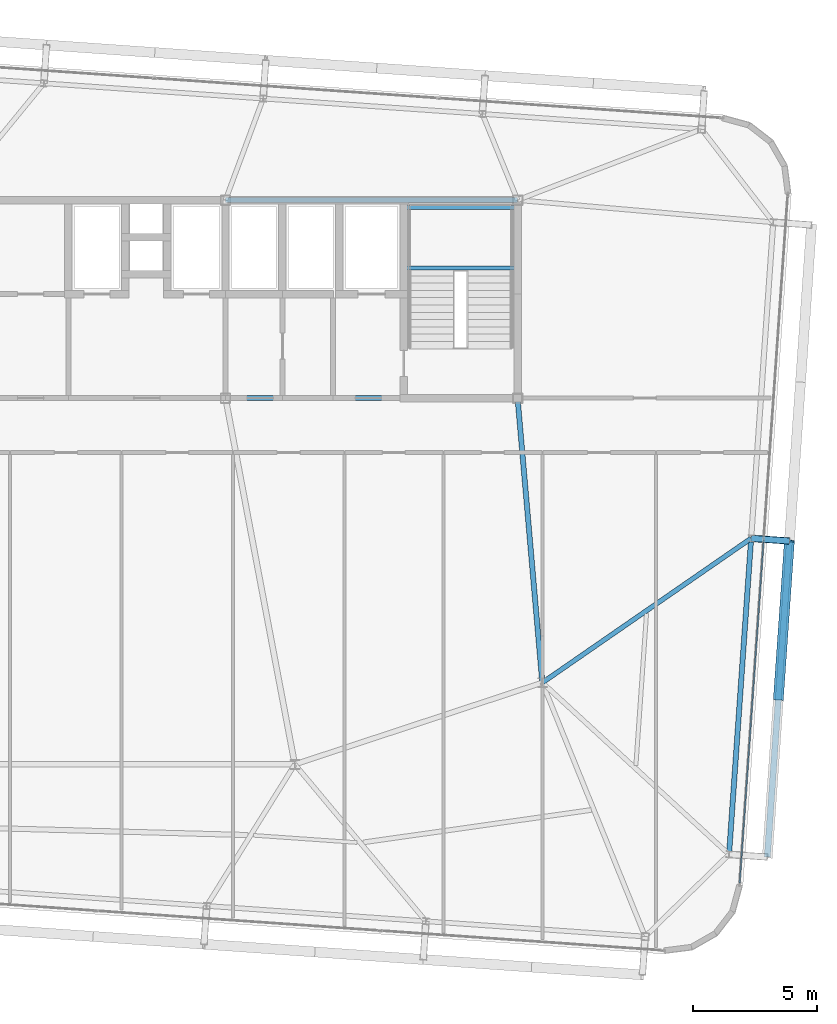
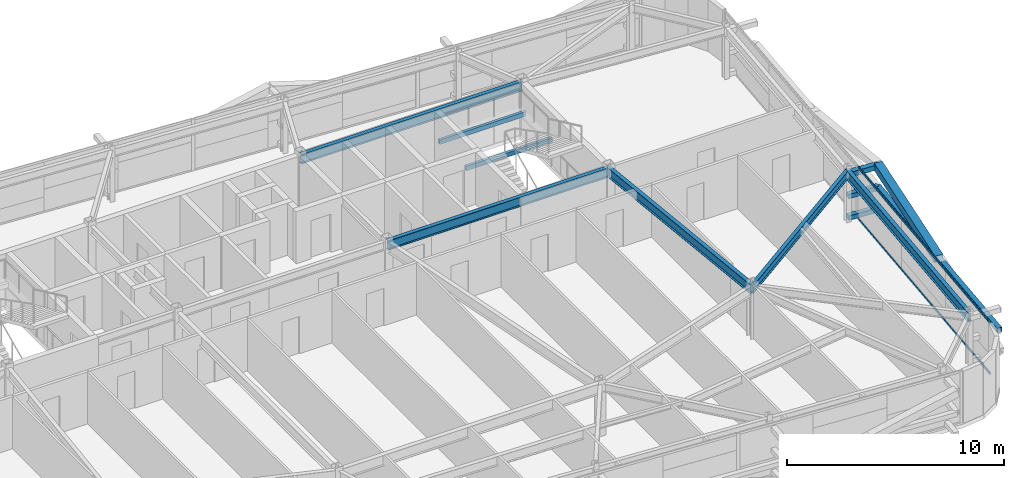
# One storey, part 16 of 39: 7 beams, 7 members, 1 element without a shape of its own.
"""IFC4 building model written with IfcOpenShell, lengths in metres."""

from ifc_helpers import new_model, si_unit, direction, frame, origin, origin_2d, place, context, subcontext, project, spatial, hollow_rectangle, i_section, extrude, source, transform, mapped, material, layer, layer_set, material_profile, profile_set, type_object, element, aggregate, save


model = new_model("IFC4")

# Units and contexts
model_context = context("Model", 3, precision=1e-05, world=origin(), true_north=direction((0.0, 1.0)))
body_context = subcontext(model_context, "Body", "Model", "MODEL_VIEW")
ifc_project = project(units=[si_unit("LENGTHUNIT", "METRE"), si_unit("AREAUNIT", "SQUARE_METRE"), si_unit("VOLUMEUNIT", "CUBIC_METRE"), si_unit("PLANEANGLEUNIT", "RADIAN"), si_unit("MASSUNIT", "GRAM", prefix="KILO")], contexts=[model_context])

# Site, building, storey
site_placement = place(None, origin())
site = spatial("IfcSite", under=ifc_project, at=site_placement, CompositionType="ELEMENT")
building_placement = place(site_placement, origin())
building = spatial("IfcBuilding", under=site, at=building_placement, Name="Taldren Reach Tower", CompositionType="ELEMENT")
storey_placement = place(building_placement, frame((0.0, 0.0, 158.199951171875)))
storey = spatial("IfcBuildingStorey", under=building, at=storey_placement, Name="L48", CompositionType="ELEMENT", Elevation=158.199951171875)

# Beams
ifc_material_1 = material(Name="Steel Gr 350 (350PLUS)", Category="steel")
ifc_material_profile_1 = material_profile(ifc_material_1, i_section(OverallWidth=0.208984375, OverallDepth=0.532958984375, WebThickness=0.01025390625, FlangeThickness=0.015625, at=origin_2d()), Name="530UB92.4")
ifc_profile_set_1 = profile_set([ifc_material_profile_1], Name="Steel Gr 350 (350PLUS)")
beam_type_1 = type_object("IfcBeamType", Name="BM-UB530A", PredefinedType="BEAM", material=ifc_profile_set_1)
shared_shape_1 = source(origin(), body_context, "Body", "SweptSolid", [
    extrude(i_section(OverallWidth=0.208984375, OverallDepth=0.532958984375, WebThickness=0.01025390625, FlangeThickness=0.015625, at=origin_2d()), origin(), (0.0, 0.0, 1.0), 11.800048828125),
])
for number, where, z_axis, x_axis, name in (
    (1, (39.199951171875, 24.0, 2.66357421875), (1.0, 0.0, 0.0), (0.0, 1.0, 0.0), "Core-spine girder L48-SP03"),
    (2, (39.199951171875, 32.0, 2.66357421875), (1.0, 0.0, 0.0), (0.0, 1.0, 0.0), "Core-spine girder L48-SP06"),
):
    element("IfcBeam", number, at=place(storey_placement, frame(where, z_axis=z_axis, x_axis=x_axis)), inside=storey, type_object=beam_type_1, Name=name, PredefinedType="BEAM", context=body_context, shape_type="MappedRepresentation", body=[
        mapped(shared_shape_1, transform((0.0, 0.0, 0.0), scale=1.0)),
    ])
shared_shape_2 = source(origin(), body_context, "Body", "SweptSolid", [
    extrude(i_section(OverallWidth=0.208984375, OverallDepth=0.532958984375, WebThickness=0.01025390625, FlangeThickness=0.015625, at=origin_2d()), origin(), (0.0, 0.0, 1.0), 11.54345703125),
])
beam_1_placement = place(storey_placement, frame((52.0, 12.5, 2.66357421875), z_axis=(-0.086629616365, 0.996240588196, 0.0), x_axis=(-0.996240588196, -0.086629616365, 0.0)))
element("IfcBeam", 3, at=beam_1_placement, inside=storey, type_object=beam_type_1, Name="Core-spine girder L48-SP13", PredefinedType="BEAM", context=body_context, shape_type="MappedRepresentation", body=[
    mapped(shared_shape_2, transform((0.0, 0.0, 0.0), scale=1.0)),
])

# Members
ifc_material_2 = material(Name="Steel Gr 450 (C450L0)", Category="steel")
ifc_material_profile_2 = material_profile(ifc_material_2, hollow_rectangle(XDim=0.27490234375, YDim=0.27490234375, WallThickness=0.00927734375, at=origin_2d()), Name="275x275x9.3SHS")
ifc_profile_set_2 = profile_set([ifc_material_profile_2], Name="Steel Gr 450 (C450L0)")
member_type_1 = type_object("IfcMemberType", Name="MB-TIE273", PredefinedType="STRUT", material=ifc_profile_set_2)
shared_shape_3 = source(origin(), body_context, "Body", "SweptSolid", [
    extrude(hollow_rectangle(XDim=0.27490234375, YDim=0.27490234375, WallThickness=0.00927734375, at=origin_2d()), origin(), (0.0, 0.0, 1.0), 1.5498046875),
])
member_1_placement = place(storey_placement, frame((60.438232421875, 18.331787109375, 2.650146484375), z_axis=(0.997562367434, -0.069780535098, 0.0), x_axis=(0.069780535098, 0.997562367434, 0.0)))
element("IfcMember", 4, at=member_1_placement, inside=storey, type_object=member_type_1, Name="Exoskeleton diaphragm tie strut B3-E2 L48", PredefinedType="STRUT", context=body_context, shape_type="MappedRepresentation", body=[
    mapped(shared_shape_3, transform((0.0, 0.0, 0.0), scale=1.0)),
])
ifc_material_3 = material(Name="Steel Gr 350 (C350L0)", Category="steel")
ifc_material_profile_3 = material_profile(ifc_material_3, hollow_rectangle(XDim=0.25, YDim=0.25, WallThickness=0.010009765625, at=origin_2d()), Name="250x250x10.0SHS")
ifc_profile_set_3 = profile_set([ifc_material_profile_3], Name="Steel Gr 350 (C350L0)")
member_type_2 = type_object("IfcMemberType", Name="MB-POST250", PredefinedType="POST", material=ifc_profile_set_3)
shared_shape_4 = source(origin(), body_context, "Body", "SweptSolid", [
    extrude(hollow_rectangle(XDim=0.25, YDim=0.25, WallThickness=0.010009765625, at=origin_2d()), origin(), (0.0, 0.0, 1.0), 1.5498046875),
])
for number, where, z_axis, x_axis, name in (
    (5, (60.438232421875, 18.331787109375, 0.219970703125), (0.997562367434, -0.069780535098, 0.0), (0.069780535098, 0.997562367434, 0.0), "Exoskeleton base diaphragm tie strut B3-E2 L48"),
    (6, (60.438232421875, 18.331787109375, 1.43505859375), (0.997562367434, -0.069780535098, 0.0), (0.069780535098, 0.997562367434, 0.0), "Exoskeleton mid-tier diaphragm tie B3-E2 L48"),
):
    element("IfcMember", number, at=place(storey_placement, frame(where, z_axis=z_axis, x_axis=x_axis)), inside=storey, type_object=member_type_2, Name=name, PredefinedType="POST", context=body_context, shape_type="MappedRepresentation", body=[
        mapped(shared_shape_4, transform((0.0, 0.0, 0.0), scale=1.0)),
    ])

# Beams
ifc_material_profile_4 = material_profile(ifc_material_1, i_section(OverallWidth=0.208984375, OverallDepth=0.528076171875, WebThickness=0.009521484375, FlangeThickness=0.01318359375, at=origin_2d()), Name="530UB82.0")
ifc_profile_set_4 = profile_set([ifc_material_profile_4], Name="Steel Gr 350 (350PLUS)")
beam_type_2 = type_object("IfcBeamType", Name="SP-UB530B", PredefinedType="SPANDREL", material=ifc_profile_set_4)
shared_shape_5 = source(origin(), body_context, "Body", "SweptSolid", [
    extrude(i_section(OverallWidth=0.208984375, OverallDepth=0.528076171875, WebThickness=0.009521484375, FlangeThickness=0.01318359375, at=origin_2d()), origin(), (0.0, 0.0, 1.0), 12.80029296875),
])
beam_2_placement = place(storey_placement, frame((59.54541015625, 5.562744140625, 2.666015625), z_axis=(0.069750549628, 0.997564464497, 0.0), x_axis=(-0.997564464497, 0.069750549628, 0.0)))
element("IfcBeam", 7, at=beam_2_placement, inside=storey, type_object=beam_type_2, Name="Perimeter spandrel B3 E1-E2 L48", PredefinedType="SPANDREL", context=body_context, shape_type="MappedRepresentation", body=[
    mapped(shared_shape_5, transform((0.0, 0.0, 0.0), scale=1.0)),
])
ifc_material_profile_5 = material_profile(ifc_material_1, i_section(OverallWidth=0.19091796875, OverallDepth=0.4599609375, WebThickness=0.010009765625, FlangeThickness=0.01611328125, at=origin_2d()), Name="460UB82.1")
ifc_profile_set_5 = profile_set([ifc_material_profile_5], Name="Steel Gr 350 (350PLUS)")
beam_type_3 = type_object("IfcBeamType", Name="BM-UB460A", PredefinedType="BEAM", material=ifc_profile_set_5)
shared_shape_6 = source(origin(), body_context, "Body", "SweptSolid", [
    extrude(i_section(OverallWidth=0.19091796875, OverallDepth=0.4599609375, WebThickness=0.010009765625, FlangeThickness=0.01611328125, at=origin_2d()), origin(), (0.0, 0.0, 1.0), 10.25732421875),
])
beam_3_placement = place(storey_placement, frame((52.0, 12.5, 2.699951171875), z_axis=(0.822651197727, 0.568546398175, 0.0), x_axis=(-0.568546398175, 0.822651197727, 0.0)))
element("IfcBeam", 8, at=beam_3_placement, inside=storey, type_object=beam_type_3, Name="Primary floor girder B3-E2 L48", PredefinedType="BEAM", context=body_context, shape_type="MappedRepresentation", body=[
    mapped(shared_shape_6, transform((0.0, 0.0, 0.0), scale=1.0)),
])

# Members
shared_shape_7 = source(origin(), body_context, "Body", "SweptSolid", [
    extrude(hollow_rectangle(XDim=0.25, YDim=0.25, WallThickness=0.010009765625, at=origin_2d()), origin(), (0.0, 0.0, 1.0), 12.800048828125),
])
member_2_placement = place(storey_placement, frame((61.091552734375, 5.454833984375, 1.43505859375), z_axis=(0.069751876777, 0.9975643717, 0.0), x_axis=(-0.9975643717, 0.069751876777, 0.0)))
element("IfcMember", 9, at=member_2_placement, inside=storey, type_object=member_type_2, Name="Exoskeleton mid-height ring chord B3-E1 L48", PredefinedType="POST", context=body_context, shape_type="MappedRepresentation", body=[
    mapped(shared_shape_7, transform((0.0, 0.0, 0.0), scale=1.0)),
])
ifc_material_profile_6 = material_profile(ifc_material_2, hollow_rectangle(XDim=0.409912109375, YDim=0.409912109375, WallThickness=0.01611328125, at=origin_2d()), Name="410x410x16.0SHS")
ifc_profile_set_6 = profile_set([ifc_material_profile_6], Name="Steel Gr 450 (C450L0)")
member_type_3 = type_object("IfcMemberType", Name="MB-EXO406", PredefinedType="BRACE", material=ifc_profile_set_6)
shared_shape_8 = source(origin(), body_context, "Body", "SweptSolid", [
    extrude(hollow_rectangle(XDim=0.409912109375, YDim=0.409912109375, WallThickness=0.01611328125, at=origin_2d()), origin(), (0.0, 0.0, 1.0), 6.514404296875),
])
member_3_placement = place(storey_placement, frame((61.5380859375, 11.839111328125, 1.43505859375), z_axis=(0.068507825937, 0.980059166346, 0.186522674885), x_axis=(-0.997565791441, 0.069731569223, 0.0)))
element("IfcMember", 10, at=member_3_placement, inside=storey, type_object=member_type_3, Name="Exoskeleton Diagrid Brace B3-E1 L48", PredefinedType="BRACE", context=body_context, shape_type="MappedRepresentation", body=[
    mapped(shared_shape_8, transform((0.0, 0.0, 0.0), scale=1.0)),
])

# Curtain wall, members
ifc_material_4 = material(Name="Aluminium and Low-E Glass Unitised System", Category="aluminium")
ifc_layer = layer(ifc_material_4, 0.159912109375)
ifc_layer_set = layer_set([ifc_layer], Name="Aluminium and Low-E Glass Unitised System")
curtain_wall_type = type_object("IfcCurtainWallType", Name="CW-SYS-4", PredefinedType="NOTDEFINED", material=ifc_layer_set)
curtain_wall_placement = place(storey_placement, origin())
curtain_wall = element("IfcCurtainWall", 11, at=curtain_wall_placement, inside=storey, type_object=curtain_wall_type, Name="Unitised curtain wall CW-L48-E", PredefinedType="NOTDEFINED")
ifc_material_5 = material(Name="Anodised Aluminium 6063-T6", Category="aluminium")
ifc_material_profile_7 = material_profile(ifc_material_5, hollow_rectangle(XDim=0.054931640625, YDim=0.1201171875, WallThickness=0.0029296875, at=origin_2d()), Name="ALU-120x55x3RHS")
ifc_profile_set_7 = profile_set([ifc_material_profile_7], Name="Anodised Aluminium 6063-T6")
member_type_4 = type_object("IfcMemberType", Name="CW-TRN-135", PredefinedType="USERDEFINED", material=ifc_profile_set_7)
shared_shape_9 = source(origin(), body_context, "Body", "SweptSolid", [
    extrude(hollow_rectangle(XDim=0.054931640625, YDim=0.1201171875, WallThickness=0.0029296875, at=origin_2d()), origin(), (0.0, 0.0, 1.0), 13.89501953125),
])
member_4_placement = place(storey_placement, frame((59.975341796875, 4.400146484375, 0.027587890625), z_axis=(0.069754817075, 0.997564166104, 0.0), x_axis=(-0.997564166104, 0.069754817075, 0.0)))
member_4 = element("IfcMember", 12, at=member_4_placement, type_object=member_type_4, Name="CW-4 transom 1.1", ObjectType="TRANSOM", PredefinedType="USERDEFINED", context=body_context, shape_type="MappedRepresentation", body=[
    mapped(shared_shape_9, transform((0.0, 0.0, 0.0), scale=1.0)),
])
member_5_placement = place(storey_placement, frame((59.975341796875, 4.400146484375, 2.902587890625), z_axis=(0.069754817075, 0.997564166104, 0.0), x_axis=(-0.997564166104, 0.069754817075, 0.0)))
member_5 = element("IfcMember", 13, at=member_5_placement, type_object=member_type_4, Name="CW-4 transom 1.2", ObjectType="TRANSOM", PredefinedType="USERDEFINED", context=body_context, shape_type="MappedRepresentation", body=[
    mapped(shared_shape_9, transform((0.0, 0.0, 0.0), scale=1.0)),
])
aggregate(curtain_wall, [member_4, member_5])

# Beams
ifc_material_profile_8 = material_profile(ifc_material_3, hollow_rectangle(XDim=0.14990234375, YDim=0.25, WallThickness=0.009033203125, at=origin_2d()), Name="250x150x9.0RHS")
ifc_profile_set_8 = profile_set([ifc_material_profile_8], Name="Steel Gr 350 (C350L0)")
beam_type_4 = type_object("IfcBeamType", Name="LN-RHS250", PredefinedType="LINTEL", material=ifc_profile_set_8)
shared_shape_10 = source(origin(), body_context, "Body", "SweptSolid", [
    extrude(hollow_rectangle(XDim=0.14990234375, YDim=0.25, WallThickness=0.009033203125, at=origin_2d()), origin(), (0.0, 0.0, 1.0), 4.60009765625),
])
for number, where, z_axis, x_axis, name in (
    (14, (46.39990234375, 29.2548828125, 1.27001953125), (1.0, 0.0, 0.0), (0.0, 1.0, 0.0), "Stair half-landing support beam ST2-L48-1"),
    (15, (46.39990234375, 31.699951171875, 1.27001953125), (1.0, 0.0, 0.0), (0.0, 1.0, 0.0), "Stair half-landing support beam ST2-L48-2"),
):
    element("IfcBeam", number, at=place(storey_placement, frame(where, z_axis=z_axis, x_axis=x_axis)), inside=storey, type_object=beam_type_4, Name=name, PredefinedType="LINTEL", context=body_context, shape_type="MappedRepresentation", body=[
        mapped(shared_shape_10, transform((0.0, 0.0, 0.0), scale=1.0)),
    ])

save(model, "model.ifc")
